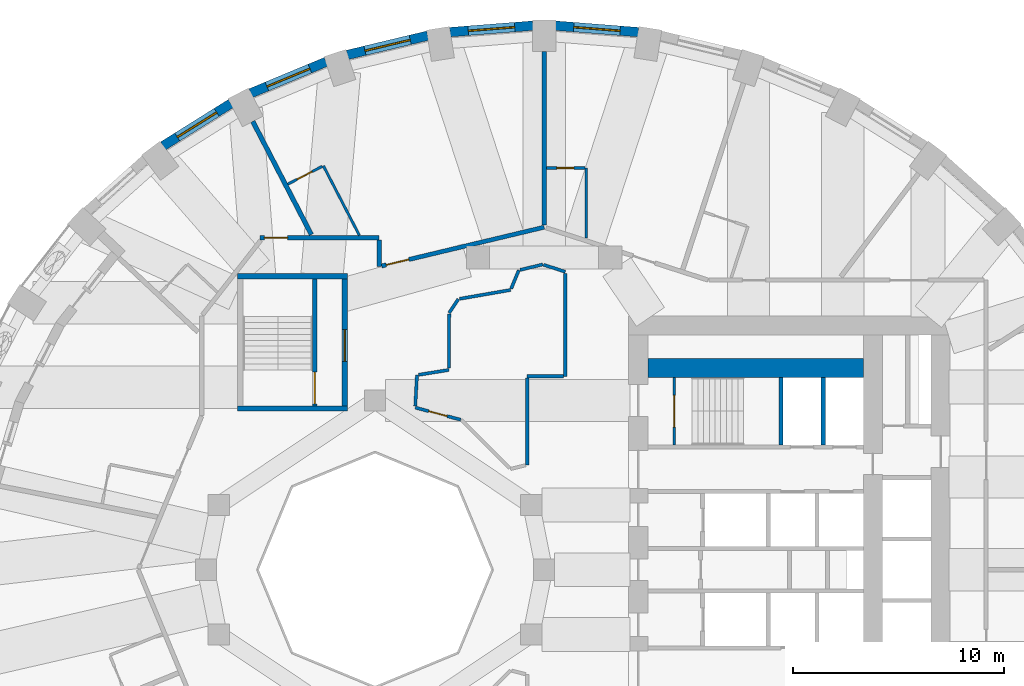
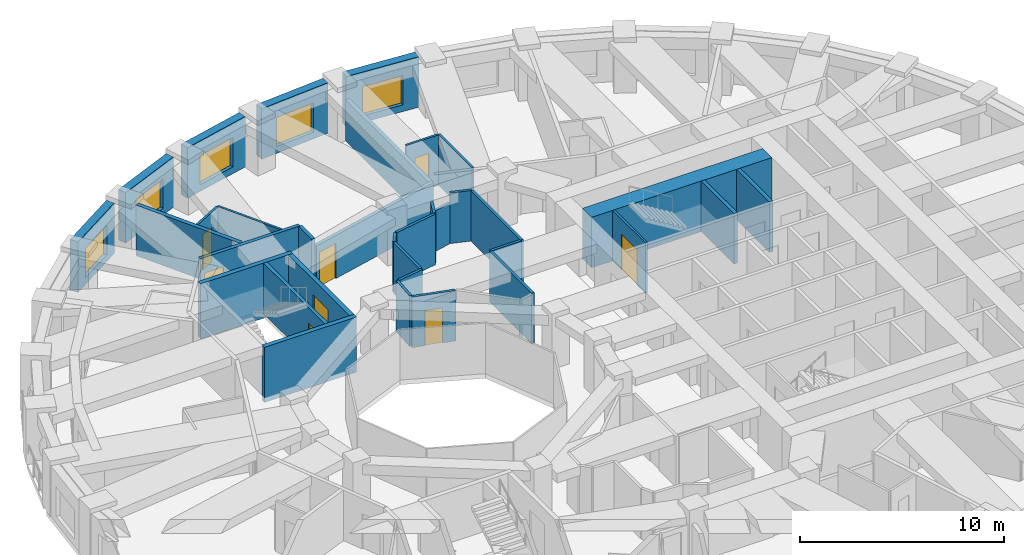
# One storey, part 8 of 13: 34 walls, 8 doors, 5 windows, 13 openings.
"""IFC4 building model written with IfcOpenShell, lengths in metres."""

from ifc_helpers import new_model, si_unit, direction, frame, frame_2d, origin, place, context, subcontext, project, spatial, rectangle, extrude, material, layer, layer_set, type_object, element, fill, save


model = new_model("IFC4")

# Units and contexts
model_context = context("Model", 3, precision=1e-05, world=origin(), true_north=direction((0.0, 1.0)))
body_context = subcontext(model_context, "Body", "Model", "MODEL_VIEW")
ifc_project = project(units=[si_unit("LENGTHUNIT", "METRE"), si_unit("AREAUNIT", "SQUARE_METRE"), si_unit("VOLUMEUNIT", "CUBIC_METRE"), si_unit("PLANEANGLEUNIT", "RADIAN"), si_unit("MASSUNIT", "GRAM", prefix="KILO")], contexts=[model_context])

# Site, building, storey
site_placement = place(None, origin())
site = spatial("IfcSite", under=ifc_project, at=site_placement, CompositionType="ELEMENT")
building_placement = place(site_placement, origin())
building = spatial("IfcBuilding", under=site, at=building_placement, Name="Taillehof Tower", CompositionType="ELEMENT")
storey_placement = place(building_placement, frame((0.0, 0.0, 77.800048828125)))
storey = spatial("IfcBuildingStorey", under=building, at=storey_placement, Name="L21", CompositionType="ELEMENT", Elevation=77.800048828125)

# Wall, opening, window
ifc_material_1 = material(Name="Brick masonry", Category="masonry")
ifc_layer_1 = layer(ifc_material_1, 0.449951171875)
ifc_layer_set_1 = layer_set([ifc_layer_1], Name="Brick infill wall 450")
wall_type_1 = type_object("IfcWallType", Name="Brick infill wall 450", PredefinedType="SOLIDWALL", material=ifc_layer_set_1)
wall_1_placement = place(storey_placement, frame((4.457275390625, 25.42578125, 0.0), z_axis=(0.0, 0.0, 1.0), x_axis=(-0.996955972145, 0.077966592873, 0.0)))
wall_1 = element("IfcWall", 1, at=wall_1_placement, inside=storey, type_object=wall_type_1, Name="Brick wall L21 bay 9", PredefinedType="SOLIDWALL", context=body_context, shape_type="SweptSolid", body=[
    extrude(rectangle(XDim=3.939208984375, YDim=0.449951171875, at=frame_2d((1.9697265625, 0.0))), origin(), (0.0, 0.0, 1.0), 3.02001953125),
])
opening_1_placement = place(wall_1_placement, frame((0.86962890625, 0.0, 0.39990234375)))
opening_1 = element("IfcOpeningElement", 2, at=opening_1_placement, cuts=wall_1, Name="Opening W1", PredefinedType="OPENING", context=body_context, shape_type="SweptSolid", body=[
    extrude(rectangle(XDim=2.199951171875, YDim=1.75, at=frame_2d((1.10009765625, 0.875))), frame((0.0, 0.23486328125, 0.0), z_axis=(0.0, -1.0, 0.0), x_axis=(1.0, 0.0, 0.0)), (0.0, 0.0, 1.0), 0.469970703125),
])
ifc_material_2 = material(Name="Aluminium window frame with clear double glazing", Category="aluminium")
window_type = type_object("IfcWindowType", Name="Deep-set window 2200x1750", PartitioningType="SINGLE_PANEL", PredefinedType="WINDOW", material=ifc_material_2)
window_1_placement = place(opening_1_placement, origin())
window_1 = element("IfcWindow", 3, at=window_1_placement, inside=storey, type_object=window_type, Name="W1", OverallHeight=1.75, OverallWidth=2.199951171875, PartitioningType="SINGLE_PANEL", PredefinedType="WINDOW", context=body_context, shape_type="SweptSolid", body=[
    extrude(rectangle(XDim=2.199951171875, YDim=1.75, at=frame_2d((1.10009765625, 0.875))), frame((0.0, 0.034912109375, 0.0), z_axis=(0.0, -1.0, 0.0), x_axis=(1.0, 0.0, 0.0)), (0.0, 0.0, 1.0), 0.06005859375),
])
fill(opening_1, window_1)

wall_2_placement = place(storey_placement, frame((-0.530029296875, 25.73291015625, 0.0), z_axis=(0.0, 0.0, 1.0), x_axis=(-0.996955972145, -0.077966592873, 0.0)))
wall_2 = element("IfcWall", 4, at=wall_2_placement, inside=storey, type_object=wall_type_1, Name="Brick wall L21 bay 10", PredefinedType="SOLIDWALL", context=body_context, shape_type="SweptSolid", body=[
    extrude(rectangle(XDim=3.939208984375, YDim=0.449951171875, at=frame_2d((1.9697265625, 0.0))), origin(), (0.0, 0.0, 1.0), 3.02001953125),
])
opening_2_placement = place(wall_2_placement, frame((0.86962890625, 0.0, 0.39990234375)))
opening_2 = element("IfcOpeningElement", 5, at=opening_2_placement, cuts=wall_2, Name="Opening W1", PredefinedType="OPENING", context=body_context, shape_type="SweptSolid", body=[
    extrude(rectangle(XDim=2.199951171875, YDim=1.75, at=frame_2d((1.10009765625, 0.875))), frame((0.0, 0.23486328125, 0.0), z_axis=(0.0, -1.0, 0.0), x_axis=(1.0, 0.0, 0.0)), (0.0, 0.0, 1.0), 0.469970703125),
])
window_2_placement = place(opening_2_placement, origin())
window_2 = element("IfcWindow", 6, at=window_2_placement, inside=storey, type_object=window_type, Name="W1", OverallHeight=1.75, OverallWidth=2.199951171875, PartitioningType="SINGLE_PANEL", PredefinedType="WINDOW", context=body_context, shape_type="SweptSolid", body=[
    extrude(rectangle(XDim=2.199951171875, YDim=1.75, at=frame_2d((1.10009765625, 0.875))), frame((0.0, 0.034912109375, 0.0), z_axis=(0.0, -1.0, 0.0), x_axis=(1.0, 0.0, 0.0)), (0.0, 0.0, 1.0), 0.06005859375),
])
fill(opening_2, window_2)

wall_3_placement = place(storey_placement, frame((-5.50439453125, 25.260498046875, 0.0), z_axis=(0.0, 0.0, 1.0), x_axis=(-0.972496561493, -0.232917233979, 0.0)))
wall_3 = element("IfcWall", 7, at=wall_3_placement, inside=storey, type_object=wall_type_1, Name="Brick wall L21 bay 11", PredefinedType="SOLIDWALL", context=body_context, shape_type="SweptSolid", body=[
    extrude(rectangle(XDim=3.910888671875, YDim=0.449951171875, at=frame_2d((1.95556640625, 0.0))), origin(), (0.0, 0.0, 1.0), 3.02001953125),
])
opening_3_placement = place(wall_3_placement, frame((0.855224609375, 0.0, 0.39990234375)))
opening_3 = element("IfcOpeningElement", 8, at=opening_3_placement, cuts=wall_3, Name="Opening W1", PredefinedType="OPENING", context=body_context, shape_type="SweptSolid", body=[
    extrude(rectangle(XDim=2.199951171875, YDim=1.75, at=frame_2d((1.10009765625, 0.875))), frame((0.0, 0.23486328125, 0.0), z_axis=(0.0, -1.0, 0.0), x_axis=(1.0, 0.0, 0.0)), (0.0, 0.0, 1.0), 0.469970703125),
])
window_3_placement = place(opening_3_placement, origin())
window_3 = element("IfcWindow", 9, at=window_3_placement, inside=storey, type_object=window_type, Name="W1", OverallHeight=1.75, OverallWidth=2.199951171875, PartitioningType="SINGLE_PANEL", PredefinedType="WINDOW", context=body_context, shape_type="SweptSolid", body=[
    extrude(rectangle(XDim=2.199951171875, YDim=1.75, at=frame_2d((1.10009765625, 0.875))), frame((0.0, 0.034912109375, 0.0), z_axis=(0.0, -1.0, 0.0), x_axis=(1.0, 0.0, 0.0)), (0.0, 0.0, 1.0), 0.06005859375),
])
fill(opening_3, window_3)

wall_4_placement = place(storey_placement, frame((-10.3154296875, 24.02099609375, 0.0), z_axis=(0.0, 0.0, 1.0), x_axis=(-0.923031964282, -0.384723267966, 0.0)))
wall_4 = element("IfcWall", 10, at=wall_4_placement, inside=storey, type_object=wall_type_1, Name="Brick wall L21 bay 12", PredefinedType="SOLIDWALL", context=body_context, shape_type="SweptSolid", body=[
    extrude(rectangle(XDim=3.8564453125, YDim=0.449951171875, at=frame_2d((1.92822265625, 0.0))), origin(), (0.0, 0.0, 1.0), 3.02001953125),
])
opening_4_placement = place(wall_4_placement, frame((0.828125, 0.0, 0.39990234375)))
opening_4 = element("IfcOpeningElement", 11, at=opening_4_placement, cuts=wall_4, Name="Opening W1", PredefinedType="OPENING", context=body_context, shape_type="SweptSolid", body=[
    extrude(rectangle(XDim=2.199951171875, YDim=1.75, at=frame_2d((1.10009765625, 0.875))), frame((0.0, 0.23486328125, 0.0), z_axis=(0.0, -1.0, 0.0), x_axis=(1.0, 0.0, 0.0)), (0.0, 0.0, 1.0), 0.469970703125),
])
window_4_placement = place(opening_4_placement, origin())
window_4 = element("IfcWindow", 12, at=window_4_placement, inside=storey, type_object=window_type, Name="W1", OverallHeight=1.75, OverallWidth=2.199951171875, PartitioningType="SINGLE_PANEL", PredefinedType="WINDOW", context=body_context, shape_type="SweptSolid", body=[
    extrude(rectangle(XDim=2.199951171875, YDim=1.75, at=frame_2d((1.10009765625, 0.875))), frame((0.0, 0.034912109375, 0.0), z_axis=(0.0, -1.0, 0.0), x_axis=(1.0, 0.0, 0.0)), (0.0, 0.0, 1.0), 0.06005859375),
])
fill(opening_4, window_4)

wall_5_placement = place(storey_placement, frame((-14.81689453125, 22.050537109375, 0.0), z_axis=(0.0, 0.0, 1.0), x_axis=(-0.847635480093, -0.530579016629, 0.0)))
wall_5 = element("IfcWall", 13, at=wall_5_placement, inside=storey, type_object=wall_type_1, Name="Brick wall L21 bay 13", PredefinedType="SOLIDWALL", context=body_context, shape_type="SweptSolid", body=[
    extrude(rectangle(XDim=3.782470703125, YDim=0.449951171875, at=frame_2d((1.89111328125, 0.0))), origin(), (0.0, 0.0, 1.0), 3.02001953125),
])
opening_5_placement = place(wall_5_placement, frame((0.791259765625, 0.0, 0.39990234375)))
opening_5 = element("IfcOpeningElement", 14, at=opening_5_placement, cuts=wall_5, Name="Opening W1", PredefinedType="OPENING", context=body_context, shape_type="SweptSolid", body=[
    extrude(rectangle(XDim=2.199951171875, YDim=1.75, at=frame_2d((1.10009765625, 0.875))), frame((0.0, 0.23486328125, 0.0), z_axis=(0.0, -1.0, 0.0), x_axis=(1.0, 0.0, 0.0)), (0.0, 0.0, 1.0), 0.469970703125),
])
window_5_placement = place(opening_5_placement, origin())
window_5 = element("IfcWindow", 15, at=window_5_placement, inside=storey, type_object=window_type, Name="W1", OverallHeight=1.75, OverallWidth=2.199951171875, PartitioningType="SINGLE_PANEL", PredefinedType="WINDOW", context=body_context, shape_type="SweptSolid", body=[
    extrude(rectangle(XDim=2.199951171875, YDim=1.75, at=frame_2d((1.10009765625, 0.875))), frame((0.0, 0.034912109375, 0.0), z_axis=(0.0, -1.0, 0.0), x_axis=(1.0, 0.0, 0.0)), (0.0, 0.0, 1.0), 0.06005859375),
])
fill(opening_5, window_5)

# Wall, opening, door
ifc_material_3 = material(Name="Gypsum board on steel studs, two layers each side", Category="steel")
ifc_layer_2 = layer(ifc_material_3, 0.199951171875)
ifc_layer_set_2 = layer_set([ifc_layer_2], Name="Compartment wall corridor 200")
wall_type_2 = type_object("IfcWallType", Name="Compartment wall corridor 200", PredefinedType="PARTITIONING", material=ifc_layer_set_2)
wall_6_placement = place(storey_placement, frame((-13.450439453125, 15.699951171875, 0.0), z_axis=(0.0, 0.0, 1.0), x_axis=(1.0, 0.0, 0.0)))
wall_6 = element("IfcWall", 16, at=wall_6_placement, inside=storey, type_object=wall_type_2, Name="Compartment wall", PredefinedType="PARTITIONING", context=body_context, shape_type="SweptSolid", body=[
    extrude(rectangle(XDim=5.650390625, YDim=0.199951171875, at=frame_2d((2.8251953125, 0.0))), origin(), (0.0, 0.0, 1.0), 3.02001953125),
])
opening_6_placement = place(wall_6_placement, frame((0.219970703125, 0.0, 0.0)))
opening_6 = element("IfcOpeningElement", 17, at=opening_6_placement, cuts=wall_6, Name="Opening D2146", PredefinedType="OPENING", context=body_context, shape_type="SweptSolid", body=[
    extrude(rectangle(XDim=1.10009765625, YDim=2.10009765625, at=frame_2d((0.550048828125, 1.050048828125))), frame((0.0, 0.10986328125, 0.0), z_axis=(0.0, -1.0, 0.0), x_axis=(1.0, 0.0, 0.0)), (0.0, 0.0, 1.0), 0.219970703125),
])
ifc_material_4 = material(Name="Timber door leaf in steel frame", Category="steel")
door_type_1 = type_object("IfcDoorType", Name="Suite entrance door EI 30 1100 x 2100", OperationType="SINGLE_SWING_LEFT", PredefinedType="DOOR", material=ifc_material_4)
door_1_placement = place(opening_6_placement, origin())
door_1 = element("IfcDoor", 18, at=door_1_placement, inside=storey, type_object=door_type_1, Name="D2146", OperationType="SINGLE_SWING_RIGHT", OverallHeight=2.10009765625, OverallWidth=1.10009765625, PredefinedType="DOOR", context=body_context, shape_type="SweptSolid", body=[
    extrude(rectangle(XDim=1.10009765625, YDim=2.10009765625, at=frame_2d((0.550048828125, 1.050048828125))), frame((0.0, 0.02490234375, 0.0), z_axis=(0.0, -1.0, 0.0), x_axis=(1.0, 0.0, 0.0)), (0.0, 0.0, 1.0), 0.050048828125),
])
fill(opening_6, door_1)

# Wall
wall_7_placement = place(storey_placement, frame((-7.800048828125, 15.599853515625, 0.0), z_axis=(0.0, 0.0, 1.0), x_axis=(0.0, -1.0, 0.0)))
element("IfcWall", 19, at=wall_7_placement, inside=storey, type_object=wall_type_2, Name="Compartment wall", PredefinedType="PARTITIONING", context=body_context, shape_type="SweptSolid", body=[
    extrude(rectangle(XDim=1.26220703125, YDim=0.199951171875, at=frame_2d((0.631103515625, 0.0))), origin(), (0.0, 0.0, 1.0), 3.02001953125),
])

# Wall, opening, door
wall_8_placement = place(storey_placement, frame((-7.682861328125, 14.365478515625, 0.0), z_axis=(0.0, 0.0, 1.0), x_axis=(0.972657109353, 0.23224587752, 0.0)))
wall_8 = element("IfcWall", 20, at=wall_8_placement, inside=storey, type_object=wall_type_2, Name="Compartment wall", PredefinedType="PARTITIONING", context=body_context, shape_type="SweptSolid", body=[
    extrude(rectangle(XDim=7.89892578125, YDim=0.199951171875, at=frame_2d((3.949462890625, 0.0))), origin(), (0.0, 0.0, 1.0), 2.570068359375),
])
opening_7_placement = place(wall_8_placement, frame((0.219970703125, 0.0, 0.0)))
opening_7 = element("IfcOpeningElement", 21, at=opening_7_placement, cuts=wall_8, Name="Opening D2144", PredefinedType="OPENING", context=body_context, shape_type="SweptSolid", body=[
    extrude(rectangle(XDim=1.10009765625, YDim=2.10009765625, at=frame_2d((0.550048828125, 1.050048828125))), frame((0.0, 0.10986328125, 0.0), z_axis=(0.0, -1.0, 0.0), x_axis=(1.0, 0.0, 0.0)), (0.0, 0.0, 1.0), 0.219970703125),
])
door_2_placement = place(opening_7_placement, origin())
door_2 = element("IfcDoor", 22, at=door_2_placement, inside=storey, type_object=door_type_1, Name="D2144", OperationType="SINGLE_SWING_LEFT", OverallHeight=2.10009765625, OverallWidth=1.10009765625, PredefinedType="DOOR", context=body_context, shape_type="SweptSolid", body=[
    extrude(rectangle(XDim=1.10009765625, YDim=2.10009765625, at=frame_2d((0.550048828125, 1.050048828125))), frame((0.0, 0.02490234375, 0.0), z_axis=(0.0, -1.0, 0.0), x_axis=(1.0, 0.0, 0.0)), (0.0, 0.0, 1.0), 0.050048828125),
])
fill(opening_7, door_2)

# Walls
ifc_material_5 = material(Name="Gypsum board on double steel studs with mineral wool", Category="steel")
ifc_layer_3 = layer(ifc_material_5, 0.219970703125)
ifc_layer_set_3 = layer_set([ifc_layer_3], Name="Compartment wall guest room 220")
wall_type_3 = type_object("IfcWallType", Name="Compartment wall guest room 220", PredefinedType="PARTITIONING", material=ifc_layer_set_3)
wall_9_placement = place(storey_placement, frame((0.0, 24.5, 0.0), z_axis=(0.0, 0.0, 1.0), x_axis=(0.0, -1.0, 0.0)))
element("IfcWall", 23, at=wall_9_placement, inside=storey, type_object=wall_type_3, Name="Compartment wall", PredefinedType="PARTITIONING", context=body_context, shape_type="SweptSolid", body=[
    extrude(rectangle(XDim=8.199951171875, YDim=0.219970703125, at=frame_2d((4.10009765625, 0.0))), origin(), (0.0, 0.0, 1.0), 2.469970703125),
])
wall_10_placement = place(storey_placement, frame((-13.7802734375, 21.201171875, 0.0), z_axis=(0.0, 0.0, 1.0), x_axis=(0.459689820266, -0.888079539875, 0.0)))
element("IfcWall", 24, at=wall_10_placement, inside=storey, type_object=wall_type_3, Name="Compartment wall", PredefinedType="PARTITIONING", context=body_context, shape_type="SweptSolid", body=[
    extrude(rectangle(XDim=6.021484375, YDim=0.219970703125, at=frame_2d((3.0107421875, 0.0))), origin(), (0.0, 0.0, 1.0), 3.02001953125),
])
ifc_material_6 = material(Name="Gypsum board on steel studs, two layers each side", Category="steel")
ifc_layer_4 = layer(ifc_material_6, 0.14990234375)
ifc_layer_set_4 = layer_set([ifc_layer_4], Name="Compartment wall service room 150")
wall_type_4 = type_object("IfcWallType", Name="Compartment wall service room 150", PredefinedType="PARTITIONING", material=ifc_layer_set_4)
wall_11_placement = place(storey_placement, frame((-4.492431640625, 12.146240234375, 0.0), z_axis=(0.0, 0.0, 1.0), x_axis=(0.553770185429, 0.832669551341, 0.0)))
element("IfcWall", 25, at=wall_11_placement, inside=storey, type_object=wall_type_4, Name="Compartment wall", PredefinedType="PARTITIONING", context=body_context, shape_type="SweptSolid", body=[
    extrude(rectangle(XDim=0.787841796875, YDim=0.14990234375, at=frame_2d((0.39404296875, 0.0))), origin(), (0.0, 0.0, 1.0), 3.02001953125),
])
wall_12_placement = place(storey_placement, frame((-3.996826171875, 12.8125, 0.0), z_axis=(0.0, 0.0, 1.0), x_axis=(0.985187584004, 0.171480098917, 0.0)))
element("IfcWall", 26, at=wall_12_placement, inside=storey, type_object=wall_type_4, Name="Compartment wall", PredefinedType="PARTITIONING", context=body_context, shape_type="SweptSolid", body=[
    extrude(rectangle(XDim=2.447265625, YDim=0.14990234375, at=frame_2d((1.2236328125, 0.0))), origin(), (0.0, 0.0, 1.0), 3.02001953125),
])
wall_13_placement = place(storey_placement, frame((-1.56298828125, 13.287841796875, 0.0), z_axis=(0.0, 0.0, 1.0), x_axis=(0.382918810849, 0.923782000419, 0.0)))
element("IfcWall", 27, at=wall_13_placement, inside=storey, type_object=wall_type_4, Name="Compartment wall", PredefinedType="PARTITIONING", context=body_context, shape_type="SweptSolid", body=[
    extrude(rectangle(XDim=0.95068359375, YDim=0.14990234375, at=frame_2d((0.475341796875, 0.0))), origin(), (0.0, 0.0, 1.0), 3.02001953125),
])
wall_14_placement = place(storey_placement, frame((-1.140380859375, 14.179931640625, 0.0), z_axis=(0.0, 0.0, 1.0), x_axis=(0.972668158826, 0.232199596913, 0.0)))
element("IfcWall", 28, at=wall_14_placement, inside=storey, type_object=wall_type_4, Name="Compartment wall", PredefinedType="PARTITIONING", context=body_context, shape_type="SweptSolid", body=[
    extrude(rectangle(XDim=1.101806640625, YDim=0.14990234375, at=frame_2d((0.55078125, 0.0))), origin(), (0.0, 0.0, 1.0), 2.419921875),
])
wall_15_placement = place(storey_placement, frame((-0.030517578125, 14.423583984375, 0.0), z_axis=(0.0, 0.0, 1.0), x_axis=(0.951683114319, -0.307081829354, 0.0)))
element("IfcWall", 29, at=wall_15_placement, inside=storey, type_object=wall_type_4, Name="Compartment wall", PredefinedType="PARTITIONING", context=body_context, shape_type="SweptSolid", body=[
    extrude(rectangle(XDim=1.082763671875, YDim=0.14990234375, at=frame_2d((0.54150390625, 0.0))), origin(), (0.0, 0.0, 1.0), 3.02001953125),
])
wall_16_placement = place(storey_placement, frame((1.0, 14.010986328125, 0.0), z_axis=(0.0, 0.0, 1.0), x_axis=(0.0, -1.0, 0.0)))
element("IfcWall", 30, at=wall_16_placement, inside=storey, type_object=wall_type_4, Name="Compartment wall", PredefinedType="PARTITIONING", context=body_context, shape_type="SweptSolid", body=[
    extrude(rectangle(XDim=4.861083984375, YDim=0.14990234375, at=frame_2d((2.4306640625, 0.0))), origin(), (0.0, 0.0, 1.0), 3.02001953125),
])
wall_17_placement = place(storey_placement, frame((0.919921875, 9.14990234375, 0.0), z_axis=(0.0, 0.0, 1.0), x_axis=(-1.0, 0.0, 0.0)))
element("IfcWall", 31, at=wall_17_placement, inside=storey, type_object=wall_type_4, Name="Compartment wall", PredefinedType="PARTITIONING", context=body_context, shape_type="SweptSolid", body=[
    extrude(rectangle(XDim=1.719970703125, YDim=0.14990234375, at=frame_2d((0.85986328125, 0.0))), origin(), (0.0, 0.0, 1.0), 3.02001953125),
])
wall_18_placement = place(storey_placement, frame((-0.800048828125, 9.06982421875, 0.0), z_axis=(0.0, 0.0, 1.0), x_axis=(0.0, -1.0, 0.0)))
element("IfcWall", 32, at=wall_18_placement, inside=storey, type_object=wall_type_4, Name="Compartment wall", PredefinedType="PARTITIONING", context=body_context, shape_type="SweptSolid", body=[
    extrude(rectangle(XDim=4.1083984375, YDim=0.14990234375, at=frame_2d((2.05419921875, 0.0))), origin(), (0.0, 0.0, 1.0), 3.02001953125),
])

# Wall, opening, door
wall_19_placement = place(storey_placement, frame((-3.94921875, 7.09326171875, 0.0), z_axis=(0.0, 0.0, 1.0), x_axis=(-0.965915749371, 0.258856649746, 0.0)))
wall_19 = element("IfcWall", 33, at=wall_19_placement, inside=storey, type_object=wall_type_4, Name="Compartment wall", PredefinedType="PARTITIONING", context=body_context, shape_type="SweptSolid", body=[
    extrude(rectangle(XDim=2.226806640625, YDim=0.14990234375, at=frame_2d((1.11328125, 0.0))), origin(), (0.0, 0.0, 1.0), 3.02001953125),
])
opening_8_placement = place(wall_19_placement, frame((0.663330078125, 0.0, 0.0)))
opening_8 = element("IfcOpeningElement", 34, at=opening_8_placement, cuts=wall_19, Name="Opening D2168", PredefinedType="OPENING", context=body_context, shape_type="SweptSolid", body=[
    extrude(rectangle(XDim=0.89990234375, YDim=2.10009765625, at=frame_2d((0.449951171875, 1.050048828125))), frame((0.0, 0.0849609375, 0.0), z_axis=(0.0, -1.0, 0.0), x_axis=(1.0, 0.0, 0.0)), (0.0, 0.0, 1.0), 0.169921875),
])
ifc_material_7 = material(Name="Timber door leaf in steel frame", Category="steel")
door_type_2 = type_object("IfcDoorType", Name="Service room door EI 30 900 x 2100", OperationType="SINGLE_SWING_LEFT", PredefinedType="DOOR", material=ifc_material_7)
door_3_placement = place(opening_8_placement, origin())
door_3 = element("IfcDoor", 35, at=door_3_placement, inside=storey, type_object=door_type_2, Name="D2168", OperationType="SINGLE_SWING_LEFT", OverallHeight=2.10009765625, OverallWidth=0.89990234375, PredefinedType="DOOR", context=body_context, shape_type="SweptSolid", body=[
    extrude(rectangle(XDim=0.89990234375, YDim=2.10009765625, at=frame_2d((0.449951171875, 1.050048828125))), frame((0.0, 0.02490234375, 0.0), z_axis=(0.0, -1.0, 0.0), x_axis=(1.0, 0.0, 0.0)), (0.0, 0.0, 1.0), 0.050048828125),
])
fill(opening_8, door_3)

# Walls
wall_20_placement = place(storey_placement, frame((-6.09521484375, 7.749755859375, 0.0), z_axis=(0.0, 0.0, 1.0), x_axis=(0.05473759482, 0.998500774017, 0.0)))
element("IfcWall", 36, at=wall_20_placement, inside=storey, type_object=wall_type_4, Name="Compartment wall", PredefinedType="PARTITIONING", context=body_context, shape_type="SweptSolid", body=[
    extrude(rectangle(XDim=1.45849609375, YDim=0.14990234375, at=frame_2d((0.729248046875, 0.0))), origin(), (0.0, 0.0, 1.0), 3.02001953125),
])
wall_21_placement = place(storey_placement, frame((-5.936279296875, 9.21875, 0.0), z_axis=(0.0, 0.0, 1.0), x_axis=(0.987290432374, 0.158926404803, 0.0)))
element("IfcWall", 37, at=wall_21_placement, inside=storey, type_object=wall_type_4, Name="Compartment wall", PredefinedType="PARTITIONING", context=body_context, shape_type="SweptSolid", body=[
    extrude(rectangle(XDim=1.454833984375, YDim=0.14990234375, at=frame_2d((0.7275390625, 0.0))), origin(), (0.0, 0.0, 1.0), 3.02001953125),
])
wall_22_placement = place(storey_placement, frame((-4.5, 9.530029296875, 0.0), z_axis=(0.0, 0.0, 1.0), x_axis=(0.002937819013, 0.9999956846, 0.0)))
element("IfcWall", 38, at=wall_22_placement, inside=storey, type_object=wall_type_4, Name="Compartment wall", PredefinedType="PARTITIONING", context=body_context, shape_type="SweptSolid", body=[
    extrude(rectangle(XDim=2.576171875, YDim=0.14990234375, at=frame_2d((1.2880859375, 0.0))), origin(), (0.0, 0.0, 1.0), 3.02001953125),
])
ifc_material_8 = material(Name="Concrete C80/95", Category="concrete")
ifc_layer_5 = layer(ifc_material_8, 0.89990234375)
ifc_layer_set_5 = layer_set([ifc_layer_5], Name="Core wall C80/95 900")
wall_type_5 = type_object("IfcWallType", Name="Core wall C80/95 900", PredefinedType="SHEAR", material=ifc_layer_set_5)
wall_23_placement = place(storey_placement, frame((4.89990234375, 9.550048828125, 0.0), z_axis=(0.0, 0.0, 1.0), x_axis=(1.0, 0.0, 0.0)))
element("IfcWall", 39, at=wall_23_placement, inside=storey, type_object=wall_type_5, Name="Core wall CW06", PredefinedType="SHEAR", context=body_context, shape_type="SweptSolid", body=[
    extrude(rectangle(XDim=10.2001953125, YDim=0.89990234375, at=frame_2d((5.10009765625, 0.0))), origin(), (0.0, 0.0, 1.0), 3.02001953125),
])
ifc_material_9 = material(Name="Gypsum board on steel studs, moisture resistant", Category="steel")
ifc_layer_6 = layer(ifc_material_9, 0.1201171875)
ifc_layer_set_6 = layer_set([ifc_layer_6], Name="En-suite wall 120")
wall_type_6 = type_object("IfcWallType", Name="En-suite wall 120", PredefinedType="PARTITIONING", material=ifc_layer_set_6)
wall_24_placement = place(storey_placement, frame((2.0, 15.6796875, 0.0), z_axis=(0.0, 0.0, 1.0), x_axis=(0.0, 1.0, 0.0)))
element("IfcWall", 40, at=wall_24_placement, inside=storey, type_object=wall_type_6, Name="En-suite wall", PredefinedType="PARTITIONING", context=body_context, shape_type="SweptSolid", body=[
    extrude(rectangle(XDim=3.3203125, YDim=0.1201171875, at=frame_2d((1.66015625, 0.0))), origin(), (0.0, 0.0, 1.0), 3.02001953125),
])
wall_25_placement = place(storey_placement, frame((-8.74169921875, 15.81787109375, 0.0), z_axis=(0.0, 0.0, 1.0), x_axis=(-0.45967225044, 0.888088634189, 0.0)))
element("IfcWall", 41, at=wall_25_placement, inside=storey, type_object=wall_type_6, Name="En-suite wall", PredefinedType="PARTITIONING", context=body_context, shape_type="SweptSolid", body=[
    extrude(rectangle(XDim=3.702392578125, YDim=0.1201171875, at=frame_2d((1.85107421875, 0.0))), origin(), (0.0, 0.0, 1.0), 3.02001953125),
])

# Wall, opening, door
wall_26_placement = place(storey_placement, frame((1.93994140625, 19.0, 0.0), z_axis=(0.0, 0.0, 1.0), x_axis=(-1.0, 0.0, 0.0)))
wall_26 = element("IfcWall", 42, at=wall_26_placement, inside=storey, type_object=wall_type_6, Name="En-suite wall", PredefinedType="PARTITIONING", context=body_context, shape_type="SweptSolid", body=[
    extrude(rectangle(XDim=1.829833984375, YDim=0.1201171875, at=frame_2d((0.9150390625, 0.0))), origin(), (0.0, 0.0, 1.0), 3.02001953125),
])
opening_9_placement = place(wall_26_placement, frame((0.5400390625, 0.0, 0.0)))
opening_9 = element("IfcOpeningElement", 43, at=opening_9_placement, cuts=wall_26, Name="Opening D2143", PredefinedType="OPENING", context=body_context, shape_type="SweptSolid", body=[
    extrude(rectangle(XDim=0.800048828125, YDim=2.10009765625, at=frame_2d((0.39990234375, 1.050048828125))), frame((0.0, 0.070068359375, 0.0), z_axis=(0.0, -1.0, 0.0), x_axis=(1.0, 0.0, 0.0)), (0.0, 0.0, 1.0), 0.14013671875),
])
ifc_material_10 = material(Name="Timber door leaf in steel frame", Category="steel")
door_type_3 = type_object("IfcDoorType", Name="En-suite door 800 x 2100", OperationType="SINGLE_SWING_LEFT", PredefinedType="DOOR", material=ifc_material_10)
door_4_placement = place(opening_9_placement, origin())
door_4 = element("IfcDoor", 44, at=door_4_placement, inside=storey, type_object=door_type_3, Name="D2143", OperationType="SINGLE_SWING_LEFT", OverallHeight=2.10009765625, OverallWidth=0.800048828125, PredefinedType="DOOR", context=body_context, shape_type="SweptSolid", body=[
    extrude(rectangle(XDim=0.800048828125, YDim=2.10009765625, at=frame_2d((0.39990234375, 1.050048828125))), frame((0.0, 0.02490234375, 0.0), z_axis=(0.0, -1.0, 0.0), x_axis=(1.0, 0.0, 0.0)), (0.0, 0.0, 1.0), 0.050048828125),
])
fill(opening_9, door_4)

wall_27_placement = place(storey_placement, frame((-10.4970703125, 19.078125, 0.0), z_axis=(0.0, 0.0, 1.0), x_axis=(-0.888095574179, -0.459658842104, 0.0)))
wall_27 = element("IfcWall", 45, at=wall_27_placement, inside=storey, type_object=wall_type_6, Name="En-suite wall", PredefinedType="PARTITIONING", context=body_context, shape_type="SweptSolid", body=[
    extrude(rectangle(XDim=1.829833984375, YDim=0.1201171875, at=frame_2d((0.9150390625, 0.0))), origin(), (0.0, 0.0, 1.0), 3.02001953125),
])
opening_10_placement = place(wall_27_placement, frame((0.539794921875, 0.0, 0.0)))
opening_10 = element("IfcOpeningElement", 46, at=opening_10_placement, cuts=wall_27, Name="Opening D2145", PredefinedType="OPENING", context=body_context, shape_type="SweptSolid", body=[
    extrude(rectangle(XDim=0.800048828125, YDim=2.10009765625, at=frame_2d((0.39990234375, 1.050048828125))), frame((0.0, 0.070068359375, 0.0), z_axis=(0.0, -1.0, 0.0), x_axis=(1.0, 0.0, 0.0)), (0.0, 0.0, 1.0), 0.14013671875),
])
door_5_placement = place(opening_10_placement, origin())
door_5 = element("IfcDoor", 47, at=door_5_placement, inside=storey, type_object=door_type_3, Name="D2145", OperationType="SINGLE_SWING_LEFT", OverallHeight=2.10009765625, OverallWidth=0.800048828125, PredefinedType="DOOR", context=body_context, shape_type="SweptSolid", body=[
    extrude(rectangle(XDim=0.800048828125, YDim=2.10009765625, at=frame_2d((0.39990234375, 1.050048828125))), frame((0.0, 0.02490234375, 0.0), z_axis=(0.0, -1.0, 0.0), x_axis=(1.0, 0.0, 0.0)), (0.0, 0.0, 1.0), 0.050048828125),
])
fill(opening_10, door_5)

# Walls
ifc_material_11 = material(Name="Concrete C50/60", Category="concrete")
ifc_layer_7 = layer(ifc_material_11, 0.199951171875)
ifc_layer_set_7 = layer_set([ifc_layer_7], Name="Shaft wall C50/60 200")
wall_type_7 = type_object("IfcWallType", Name="Shaft wall C50/60 200", PredefinedType="SHEAR", material=ifc_layer_set_7)
for number, where, z_axis, x_axis, name in (
    (48, (11.199951171875, 5.89990234375, 0.0), (0.0, 0.0, 1.0), (0.0, 1.0, 0.0), "Shaft wall SW"),
    (49, (13.199951171875, 5.89990234375, 0.0), (0.0, 0.0, 1.0), (0.0, 1.0, 0.0), "Shaft wall SW"),
):
    element("IfcWall", number, at=place(storey_placement, frame(where, z_axis=z_axis, x_axis=x_axis)), inside=storey, type_object=wall_type_7, Name=name, PredefinedType="SHEAR", context=body_context, shape_type="SweptSolid", body=[
        extrude(rectangle(XDim=3.2001953125, YDim=0.199951171875, at=frame_2d((1.60009765625, 0.0))), origin(), (0.0, 0.0, 1.0), 3.02001953125),
    ])

# Wall, opening, door
wall_28_placement = place(storey_placement, frame((-10.85009765625, 7.75, 0.0), z_axis=(0.0, 0.0, 1.0), x_axis=(0.0, 1.0, 0.0)))
wall_28 = element("IfcWall", 50, at=wall_28_placement, inside=storey, type_object=wall_type_7, Name="Shaft wall SW", PredefinedType="SHEAR", context=body_context, shape_type="SweptSolid", body=[
    extrude(rectangle(XDim=6.0, YDim=0.199951171875, at=frame_2d((3.0, 0.0))), origin(), (0.0, 0.0, 1.0), 3.02001953125),
])
opening_11_placement = place(wall_28_placement, frame((0.10009765625, 0.0, 0.0)))
opening_11 = element("IfcOpeningElement", 51, at=opening_11_placement, cuts=wall_28, Name="Opening D2112", PredefinedType="OPENING", context=body_context, shape_type="SweptSolid", body=[
    extrude(rectangle(XDim=1.5, YDim=2.10009765625, at=frame_2d((0.75, 1.050048828125))), frame((0.0, 0.10986328125, 0.0), z_axis=(0.0, -1.0, 0.0), x_axis=(1.0, 0.0, 0.0)), (0.0, 0.0, 1.0), 0.219970703125),
])
ifc_material_12 = material(Name="Steel-faced fire door", Category="steel")
door_type_4 = type_object("IfcDoorType", Name="Stair door 1500x2100", OperationType="DOUBLE_DOOR_SINGLE_SWING", PredefinedType="DOOR", material=ifc_material_12)
door_6_placement = place(opening_11_placement, origin())
door_6 = element("IfcDoor", 52, at=door_6_placement, inside=storey, type_object=door_type_4, Name="Stair lobby door S3", OperationType="DOUBLE_DOOR_SINGLE_SWING", OverallHeight=2.10009765625, OverallWidth=1.5, PredefinedType="DOOR", context=body_context, shape_type="SweptSolid", body=[
    extrude(rectangle(XDim=1.5, YDim=2.10009765625, at=frame_2d((0.75, 1.050048828125))), frame((0.0, 0.02490234375, 0.0), z_axis=(0.0, -1.0, 0.0), x_axis=(1.0, 0.0, 0.0)), (0.0, 0.0, 1.0), 0.050048828125),
])
fill(opening_11, door_6)

ifc_material_13 = material(Name="Concrete C50/60", Category="concrete")
ifc_layer_8 = layer(ifc_material_13, 0.1201171875)
ifc_layer_set_8 = layer_set([ifc_layer_8], Name="Stair lobby wall C50/60 120")
wall_type_8 = type_object("IfcWallType", Name="Stair lobby wall C50/60 120", PredefinedType="SHEAR", material=ifc_layer_set_8)
wall_29_placement = place(storey_placement, frame((6.159912109375, 5.89990234375, 0.0), z_axis=(0.0, 0.0, 1.0), x_axis=(0.0, 1.0, 0.0)))
wall_29 = element("IfcWall", 53, at=wall_29_placement, inside=storey, type_object=wall_type_8, Name="Compartment wall SW", PredefinedType="SHEAR", context=body_context, shape_type="SweptSolid", body=[
    extrude(rectangle(XDim=3.2001953125, YDim=0.1201171875, at=frame_2d((1.60009765625, 0.0))), origin(), (0.0, 0.0, 1.0), 3.02001953125),
])
opening_12_placement = place(wall_29_placement, frame((0.85009765625, 0.0, 0.0)))
opening_12 = element("IfcOpeningElement", 54, at=opening_12_placement, cuts=wall_29, Name="Opening D2110", PredefinedType="OPENING", context=body_context, shape_type="SweptSolid", body=[
    extrude(rectangle(XDim=1.5, YDim=2.10009765625, at=frame_2d((0.75, 1.050048828125))), frame((0.0, 0.070068359375, 0.0), z_axis=(0.0, -1.0, 0.0), x_axis=(1.0, 0.0, 0.0)), (0.0, 0.0, 1.0), 0.14013671875),
])
door_7_placement = place(opening_12_placement, origin())
door_7 = element("IfcDoor", 55, at=door_7_placement, inside=storey, type_object=door_type_4, Name="Stair lobby door S1", OperationType="DOUBLE_DOOR_SINGLE_SWING", OverallHeight=2.10009765625, OverallWidth=1.5, PredefinedType="DOOR", context=body_context, shape_type="SweptSolid", body=[
    extrude(rectangle(XDim=1.5, YDim=2.10009765625, at=frame_2d((0.75, 1.050048828125))), frame((0.0, 0.02490234375, 0.0), z_axis=(0.0, -1.0, 0.0), x_axis=(1.0, 0.0, 0.0)), (0.0, 0.0, 1.0), 0.050048828125),
])
fill(opening_12, door_7)

ifc_material_14 = material(Name="Concrete C50/60", Category="concrete")
ifc_layer_9 = layer(ifc_material_14, 0.25)
ifc_layer_set_9 = layer_set([ifc_layer_9], Name="Stair wall C50/60 250")
wall_type_9 = type_object("IfcWallType", Name="Stair wall C50/60 250", PredefinedType="SHEAR", material=ifc_layer_set_9)
wall_30_placement = place(storey_placement, frame((-9.425048828125, 7.75, -0.280029296875), z_axis=(0.0, 0.0, 1.0), x_axis=(0.0, 1.0, 0.0)))
wall_30 = element("IfcWall", 56, at=wall_30_placement, inside=storey, type_object=wall_type_9, Name="Stair wall SC", PredefinedType="SHEAR", context=body_context, shape_type="SweptSolid", body=[
    extrude(rectangle(XDim=6.0, YDim=0.25, at=frame_2d((3.0, 0.0))), origin(), (0.0, 0.0, 1.0), 3.300048828125),
])
opening_13_placement = place(wall_30_placement, frame((2.10009765625, 0.0, 0.280029296875)))
opening_13 = element("IfcOpeningElement", 57, at=opening_13_placement, cuts=wall_30, Name="Opening D2119", PredefinedType="OPENING", context=body_context, shape_type="SweptSolid", body=[
    extrude(rectangle(XDim=1.5, YDim=2.10009765625, at=frame_2d((0.75, 1.050048828125))), frame((0.0, 0.135009765625, 0.0), z_axis=(0.0, -1.0, 0.0), x_axis=(1.0, 0.0, 0.0)), (0.0, 0.0, 1.0), 0.27001953125),
])
door_8_placement = place(opening_13_placement, origin())
door_8 = element("IfcDoor", 58, at=door_8_placement, inside=storey, type_object=door_type_4, Name="Stair door S3", OperationType="DOUBLE_DOOR_SINGLE_SWING", OverallHeight=2.10009765625, OverallWidth=1.5, PredefinedType="DOOR", context=body_context, shape_type="SweptSolid", body=[
    extrude(rectangle(XDim=1.5, YDim=2.10009765625, at=frame_2d((0.75, 1.050048828125))), frame((0.0, 0.02490234375, 0.0), z_axis=(0.0, -1.0, 0.0), x_axis=(1.0, 0.0, 0.0)), (0.0, 0.0, 1.0), 0.050048828125),
])
fill(opening_13, door_8)

# Walls
for number, where, z_axis, x_axis, name in (
    (59, (-14.5, 13.875, -0.280029296875), (0.0, 0.0, 1.0), (1.0, 0.0, 0.0), "Stair wall SC"),
    (60, (-14.5, 7.625, -0.280029296875), (0.0, 0.0, 1.0), (1.0, 0.0, 0.0), "Stair wall SC"),
):
    element("IfcWall", number, at=place(storey_placement, frame(where, z_axis=z_axis, x_axis=x_axis)), inside=storey, type_object=wall_type_9, Name=name, PredefinedType="SHEAR", context=body_context, shape_type="SweptSolid", body=[
        extrude(rectangle(XDim=5.199951171875, YDim=0.25, at=frame_2d((2.60009765625, 0.0))), origin(), (0.0, 0.0, 1.0), 3.300048828125),
    ])

save(model, "model.ifc")
